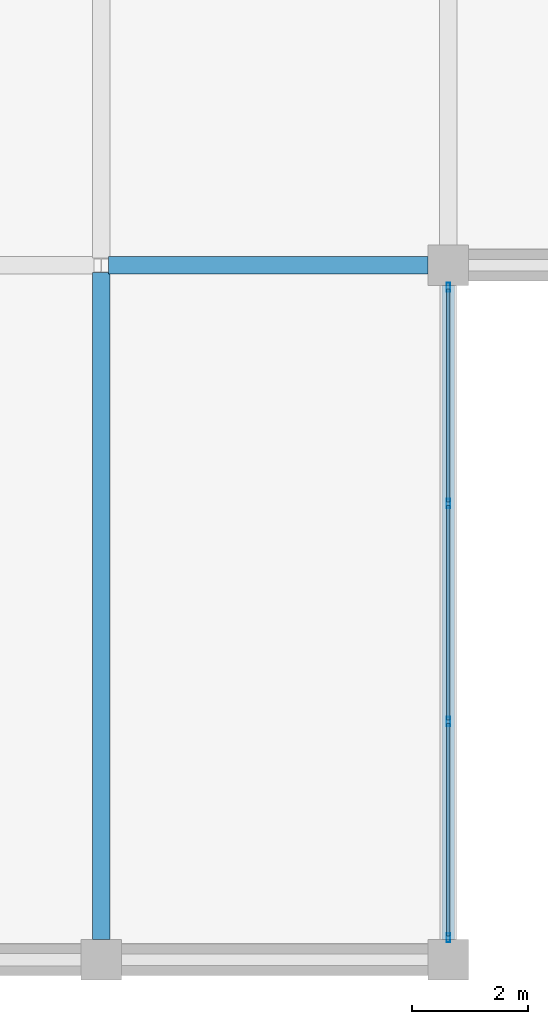
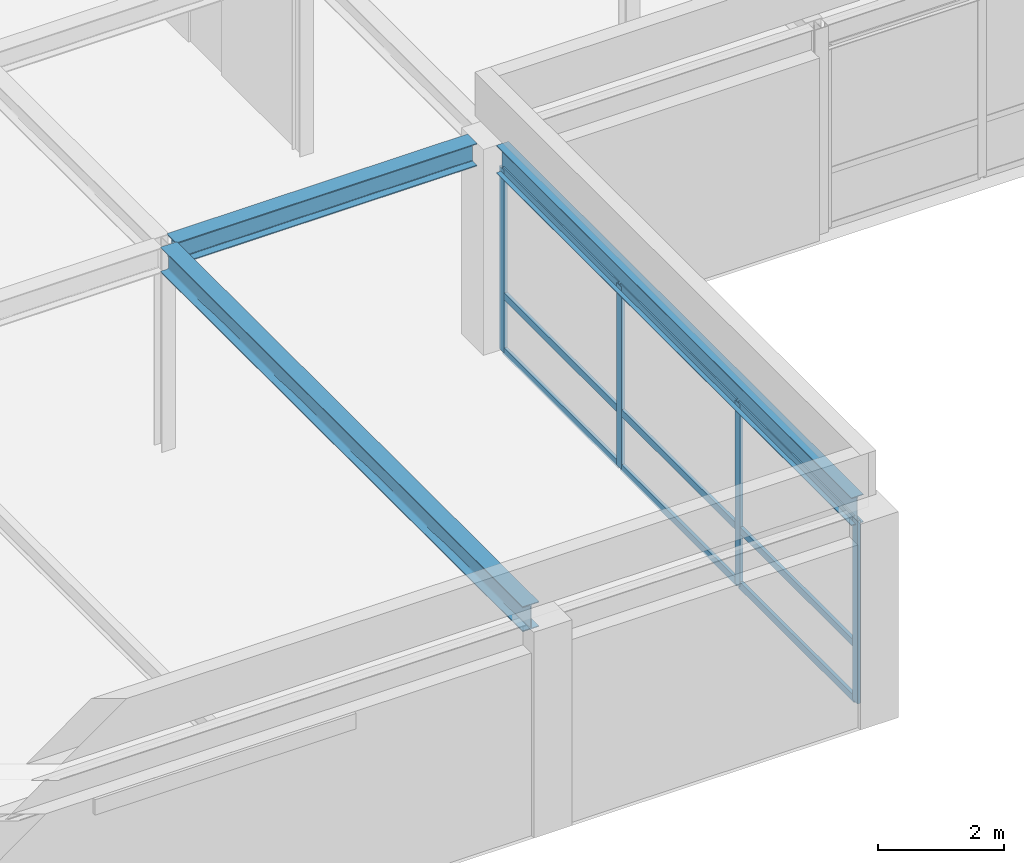
# One storey, part 33 of 111: 13 members, 3 beams, 1 element without a shape of its own.
"""IFC4 building model written with IfcOpenShell, lengths in metres."""

from ifc_helpers import new_model, si_unit, direction, frame, origin, origin_2d, place, context, subcontext, project, spatial, hollow_rectangle, i_section, extrude, material, layer, layer_set, material_profile, profile_set, type_object, element, aggregate, save


model = new_model("IFC4")

# Units and contexts
model_context = context("Model", 3, precision=1e-05, world=origin(), true_north=direction((0.0, 1.0)))
body_context = subcontext(model_context, "Body", "Model", "MODEL_VIEW")
ifc_project = project(units=[si_unit("LENGTHUNIT", "METRE"), si_unit("AREAUNIT", "SQUARE_METRE"), si_unit("VOLUMEUNIT", "CUBIC_METRE"), si_unit("PLANEANGLEUNIT", "RADIAN"), si_unit("MASSUNIT", "GRAM", prefix="KILO")], contexts=[model_context])

# Site, building, storey
site_placement = place(None, origin())
site = spatial("IfcSite", under=ifc_project, at=site_placement, CompositionType="ELEMENT")
building_placement = place(site_placement, origin())
building = spatial("IfcBuilding", under=site, at=building_placement, Name="Zlatovratsky Civic Hall", CompositionType="ELEMENT")
storey_placement = place(building_placement, frame((0.0, 0.0, 16.5)))
storey = spatial("IfcBuildingStorey", under=building, at=storey_placement, Name="L04", CompositionType="ELEMENT", Elevation=16.5)

# Beams
ifc_material_1 = material(Name="Steel S355", Category="steel")
ifc_material_profile_1 = material_profile(ifc_material_1, i_section(OverallWidth=0.300048828125, OverallDepth=0.487060546875, WebThickness=0.014404296875, FlangeThickness=0.017578125, FilletRadius=0.02392578125, at=origin_2d()), Name="50Sh2")
ifc_profile_set_1 = profile_set([ifc_material_profile_1], Name="Steel S355")
beam_type_1 = type_object("IfcBeamType", Name="Beam_ArchiveGirder_50Sh2", PredefinedType="BEAM", material=ifc_profile_set_1)
beam_1_placement = place(storey_placement, frame((48.0, 0.35009765625, 3.756591796875), z_axis=(0.0, 1.0, 0.0), x_axis=(-1.0, 0.0, 0.0)))
element("IfcBeam", 1, at=beam_1_placement, inside=storey, type_object=beam_type_1, Name="BM-3585", PredefinedType="BEAM", context=body_context, shape_type="SweptSolid", body=[
    extrude(i_section(OverallWidth=0.300048828125, OverallDepth=0.487060546875, WebThickness=0.014404296875, FlangeThickness=0.017578125, FilletRadius=0.02392578125, at=origin_2d()), origin(), (0.0, 0.0, 1.0), 11.52490234375),
])
ifc_material_profile_2 = material_profile(ifc_material_1, i_section(OverallWidth=0.219970703125, OverallDepth=0.54296875, WebThickness=0.009521484375, FlangeThickness=0.013427734375, FilletRadius=0.01806640625, at=origin_2d()), Name="55B1")
ifc_profile_set_2 = profile_set([ifc_material_profile_2], Name="Steel S355")
beam_type_2 = type_object("IfcBeamType", Name="Beam_Spandrel_55B1", PredefinedType="SPANDREL", material=ifc_profile_set_2)
beam_2_placement = place(storey_placement, frame((54.0, 0.35009765625, 3.728515625), z_axis=(0.0, 1.0, 0.0), x_axis=(-1.0, 0.0, 0.0)))
element("IfcBeam", 2, at=beam_2_placement, inside=storey, type_object=beam_type_2, Name="BM-3602", PredefinedType="SPANDREL", context=body_context, shape_type="SweptSolid", body=[
    extrude(i_section(OverallWidth=0.219970703125, OverallDepth=0.54296875, WebThickness=0.009521484375, FlangeThickness=0.013427734375, FilletRadius=0.01806640625, at=origin_2d()), origin(), (0.0, 0.0, 1.0), 11.2998046875),
])
ifc_material_profile_3 = material_profile(ifc_material_1, i_section(OverallWidth=0.300048828125, OverallDepth=0.43994140625, WebThickness=0.010986328125, FlangeThickness=0.01806640625, FilletRadius=0.02197265625, at=origin_2d()), Name="45Sh1")
ifc_profile_set_3 = profile_set([ifc_material_profile_3], Name="Steel S355")
beam_type_3 = type_object("IfcBeamType", Name="Beam_TowerLow_45Sh1", PredefinedType="BEAM", material=ifc_profile_set_3)
beam_3_placement = place(storey_placement, frame((48.125, 12.0, 3.780029296875), z_axis=(1.0, 0.0, 0.0), x_axis=(0.0, 1.0, 0.0)))
element("IfcBeam", 3, at=beam_3_placement, inside=storey, type_object=beam_type_3, Name="BM-3217", PredefinedType="BEAM", context=body_context, shape_type="SweptSolid", body=[
    extrude(i_section(OverallWidth=0.300048828125, OverallDepth=0.43994140625, WebThickness=0.010986328125, FlangeThickness=0.01806640625, FilletRadius=0.02197265625, at=origin_2d()), origin(), (0.0, 0.0, 1.0), 5.52490234375),
])

# Curtain wall, members
ifc_material_2 = material(Name="Anodised bronze aluminium", Category="aluminium")
ifc_layer = layer(ifc_material_2, 0.159912109375)
ifc_layer_set = layer_set([ifc_layer], Name="Anodised bronze aluminium")
curtain_wall_type = type_object("IfcCurtainWallType", Name="CurtainWall_Bronze_11300x3550_13", PredefinedType="NOTDEFINED", material=ifc_layer_set)
curtain_wall_placement = place(storey_placement, origin())
curtain_wall = element("IfcCurtainWall", 4, at=curtain_wall_placement, inside=storey, type_object=curtain_wall_type, Name="CW-087", PredefinedType="NOTDEFINED")
ifc_material_profile_4 = material_profile(ifc_material_2, hollow_rectangle(XDim=0.06005859375, YDim=0.159912109375, WallThickness=0.00390625, at=origin_2d()), Name="ALU 60x160x4")
ifc_profile_set_4 = profile_set([ifc_material_profile_4], Name="Anodised bronze aluminium")
member_type_1 = type_object("IfcMemberType", Name="CW_Mullion_60x160", PredefinedType="MULLION", material=ifc_profile_set_4)
member_1_placement = place(storey_placement, frame((54.0, 0.3798828125, 0.0), z_axis=(0.0, 0.0, 1.0), x_axis=(-1.0, 0.0, 0.0)))
member_1 = element("IfcMember", 5, at=member_1_placement, type_object=member_type_1, Name="CW-13 mullion 1", PredefinedType="MULLION", context=body_context, shape_type="SweptSolid", body=[
    extrude(hollow_rectangle(XDim=0.06005859375, YDim=0.159912109375, WallThickness=0.00390625, at=origin_2d()), origin(), (0.0, 0.0, 1.0), 3.550048828125),
])
member_2_placement = place(storey_placement, frame((54.0, 4.11669921875, 0.0), z_axis=(0.0, 0.0, 1.0), x_axis=(-1.0, 0.0, 0.0)))
member_2 = element("IfcMember", 6, at=member_2_placement, type_object=member_type_1, Name="CW-13 mullion 2", PredefinedType="MULLION", context=body_context, shape_type="SweptSolid", body=[
    extrude(hollow_rectangle(XDim=0.06005859375, YDim=0.159912109375, WallThickness=0.00390625, at=origin_2d()), origin(), (0.0, 0.0, 1.0), 3.550048828125),
])
member_3_placement = place(storey_placement, frame((54.0, 7.88330078125, 0.0), z_axis=(0.0, 0.0, 1.0), x_axis=(-1.0, 0.0, 0.0)))
member_3 = element("IfcMember", 7, at=member_3_placement, type_object=member_type_1, Name="CW-13 mullion 3", PredefinedType="MULLION", context=body_context, shape_type="SweptSolid", body=[
    extrude(hollow_rectangle(XDim=0.06005859375, YDim=0.159912109375, WallThickness=0.00390625, at=origin_2d()), origin(), (0.0, 0.0, 1.0), 3.550048828125),
])
member_4_placement = place(storey_placement, frame((54.0, 11.6201171875, 0.0), z_axis=(0.0, 0.0, 1.0), x_axis=(-1.0, 0.0, 0.0)))
member_4 = element("IfcMember", 8, at=member_4_placement, type_object=member_type_1, Name="CW-13 mullion 4", PredefinedType="MULLION", context=body_context, shape_type="SweptSolid", body=[
    extrude(hollow_rectangle(XDim=0.06005859375, YDim=0.159912109375, WallThickness=0.00390625, at=origin_2d()), origin(), (0.0, 0.0, 1.0), 3.550048828125),
])
ifc_material_profile_5 = material_profile(ifc_material_2, hollow_rectangle(XDim=0.06005859375, YDim=0.139892578125, WallThickness=0.00390625, at=origin_2d()), Name="ALU 60x140x4")
ifc_profile_set_5 = profile_set([ifc_material_profile_5], Name="Anodised bronze aluminium")
member_type_2 = type_object("IfcMemberType", Name="CW_Transom_60x140", PredefinedType="USERDEFINED", material=ifc_profile_set_5)
member_5_placement = place(storey_placement, frame((54.0, 0.409912109375, 0.030029296875), z_axis=(0.0, 1.0, 0.0), x_axis=(-1.0, 0.0, 0.0)))
member_5 = element("IfcMember", 9, at=member_5_placement, type_object=member_type_2, Name="CW-13 transom 1.1", ObjectType="TRANSOM", PredefinedType="USERDEFINED", context=body_context, shape_type="SweptSolid", body=[
    extrude(hollow_rectangle(XDim=0.06005859375, YDim=0.139892578125, WallThickness=0.00390625, at=origin_2d()), origin(), (0.0, 0.0, 1.0), 3.6767578125),
])
member_6_placement = place(storey_placement, frame((54.0, 0.409912109375, 1.10009765625), z_axis=(0.0, 1.0, 0.0), x_axis=(-1.0, 0.0, 0.0)))
member_6 = element("IfcMember", 10, at=member_6_placement, type_object=member_type_2, Name="CW-13 transom 1.2", ObjectType="TRANSOM", PredefinedType="USERDEFINED", context=body_context, shape_type="SweptSolid", body=[
    extrude(hollow_rectangle(XDim=0.06005859375, YDim=0.139892578125, WallThickness=0.00390625, at=origin_2d()), origin(), (0.0, 0.0, 1.0), 3.6767578125),
])
member_7_placement = place(storey_placement, frame((54.0, 0.409912109375, 3.52001953125), z_axis=(0.0, 1.0, 0.0), x_axis=(-1.0, 0.0, 0.0)))
member_7 = element("IfcMember", 11, at=member_7_placement, type_object=member_type_2, Name="CW-13 transom 1.3", ObjectType="TRANSOM", PredefinedType="USERDEFINED", context=body_context, shape_type="SweptSolid", body=[
    extrude(hollow_rectangle(XDim=0.06005859375, YDim=0.139892578125, WallThickness=0.00390625, at=origin_2d()), origin(), (0.0, 0.0, 1.0), 3.6767578125),
])
member_8_placement = place(storey_placement, frame((54.0, 4.146728515625, 0.030029296875), z_axis=(0.0, 1.0, 0.0), x_axis=(-1.0, 0.0, 0.0)))
member_8 = element("IfcMember", 12, at=member_8_placement, type_object=member_type_2, Name="CW-13 transom 2.1", ObjectType="TRANSOM", PredefinedType="USERDEFINED", context=body_context, shape_type="SweptSolid", body=[
    extrude(hollow_rectangle(XDim=0.06005859375, YDim=0.139892578125, WallThickness=0.00390625, at=origin_2d()), origin(), (0.0, 0.0, 1.0), 3.70654296875),
])
member_9_placement = place(storey_placement, frame((54.0, 4.146728515625, 1.10009765625), z_axis=(0.0, 1.0, 0.0), x_axis=(-1.0, 0.0, 0.0)))
member_9 = element("IfcMember", 13, at=member_9_placement, type_object=member_type_2, Name="CW-13 transom 2.2", ObjectType="TRANSOM", PredefinedType="USERDEFINED", context=body_context, shape_type="SweptSolid", body=[
    extrude(hollow_rectangle(XDim=0.06005859375, YDim=0.139892578125, WallThickness=0.00390625, at=origin_2d()), origin(), (0.0, 0.0, 1.0), 3.70654296875),
])
member_10_placement = place(storey_placement, frame((54.0, 4.146728515625, 3.52001953125), z_axis=(0.0, 1.0, 0.0), x_axis=(-1.0, 0.0, 0.0)))
member_10 = element("IfcMember", 14, at=member_10_placement, type_object=member_type_2, Name="CW-13 transom 2.3", ObjectType="TRANSOM", PredefinedType="USERDEFINED", context=body_context, shape_type="SweptSolid", body=[
    extrude(hollow_rectangle(XDim=0.06005859375, YDim=0.139892578125, WallThickness=0.00390625, at=origin_2d()), origin(), (0.0, 0.0, 1.0), 3.70654296875),
])
member_11_placement = place(storey_placement, frame((54.0, 7.913330078125, 0.030029296875), z_axis=(0.0, 1.0, 0.0), x_axis=(-1.0, 0.0, 0.0)))
member_11 = element("IfcMember", 15, at=member_11_placement, type_object=member_type_2, Name="CW-13 transom 3.1", ObjectType="TRANSOM", PredefinedType="USERDEFINED", context=body_context, shape_type="SweptSolid", body=[
    extrude(hollow_rectangle(XDim=0.06005859375, YDim=0.139892578125, WallThickness=0.00390625, at=origin_2d()), origin(), (0.0, 0.0, 1.0), 3.6767578125),
])
member_12_placement = place(storey_placement, frame((54.0, 7.913330078125, 1.10009765625), z_axis=(0.0, 1.0, 0.0), x_axis=(-1.0, 0.0, 0.0)))
member_12 = element("IfcMember", 16, at=member_12_placement, type_object=member_type_2, Name="CW-13 transom 3.2", ObjectType="TRANSOM", PredefinedType="USERDEFINED", context=body_context, shape_type="SweptSolid", body=[
    extrude(hollow_rectangle(XDim=0.06005859375, YDim=0.139892578125, WallThickness=0.00390625, at=origin_2d()), origin(), (0.0, 0.0, 1.0), 3.6767578125),
])
member_13_placement = place(storey_placement, frame((54.0, 7.913330078125, 3.52001953125), z_axis=(0.0, 1.0, 0.0), x_axis=(-1.0, 0.0, 0.0)))
member_13 = element("IfcMember", 17, at=member_13_placement, type_object=member_type_2, Name="CW-13 transom 3.3", ObjectType="TRANSOM", PredefinedType="USERDEFINED", context=body_context, shape_type="SweptSolid", body=[
    extrude(hollow_rectangle(XDim=0.06005859375, YDim=0.139892578125, WallThickness=0.00390625, at=origin_2d()), origin(), (0.0, 0.0, 1.0), 3.6767578125),
])
aggregate(curtain_wall, [member_1, member_2, member_3, member_4, member_5, member_6, member_7, member_8, member_9, member_10, member_11, member_12, member_13])

save(model, "model.ifc")
